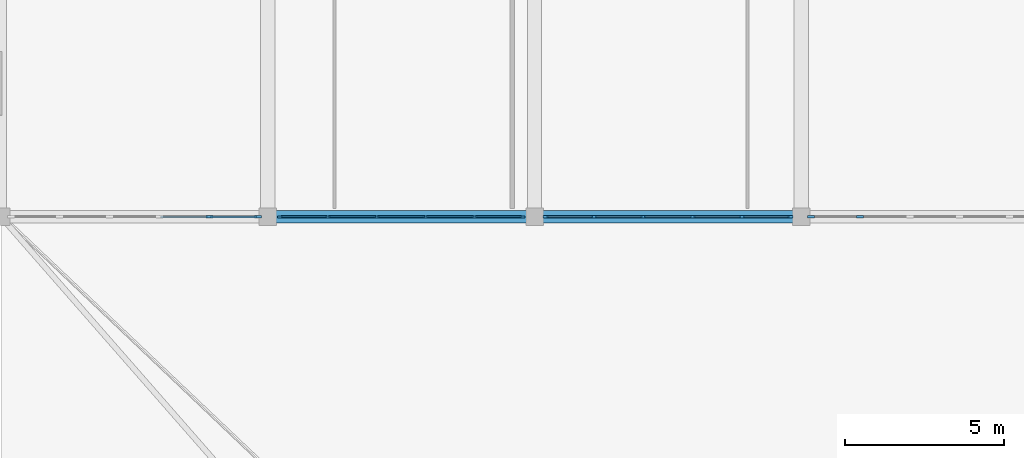
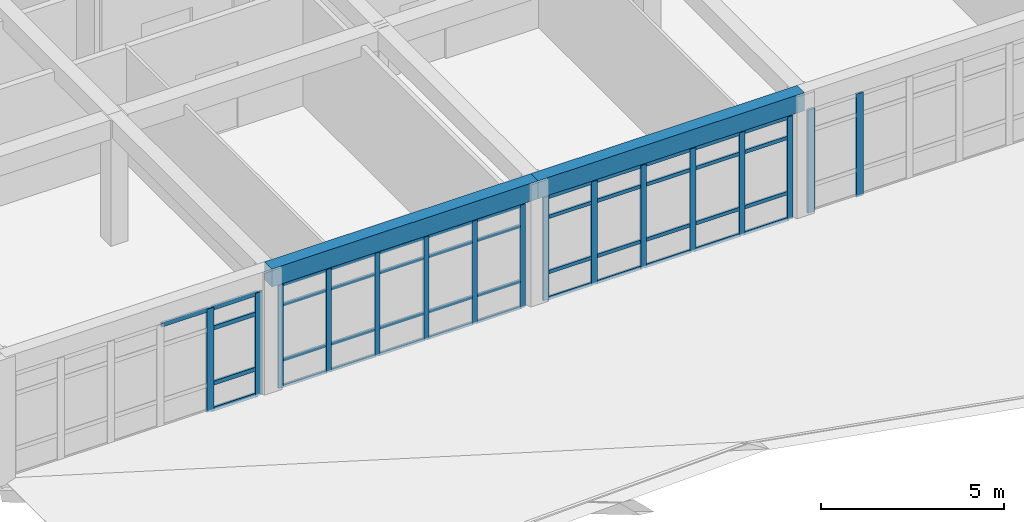
# One storey, part 15 of 77: 61 members, 2 beams, 4 elements without a shape of their own.
"""IFC4 building model written with IfcOpenShell, lengths in metres."""

from ifc_helpers import new_model, si_unit, direction, frame, origin, origin_2d, place, context, subcontext, project, spatial, rectangle, extrude, material, material_profile, profile_set, type_object, element, aggregate, save


model = new_model("IFC4")

# Units and contexts
model_context = context("Model", 3, precision=1e-05, world=origin(), true_north=direction((0.0, 1.0)))
body_context = subcontext(model_context, "Body", "Model", "MODEL_VIEW")
ifc_project = project(units=[si_unit("LENGTHUNIT", "METRE"), si_unit("AREAUNIT", "SQUARE_METRE"), si_unit("VOLUMEUNIT", "CUBIC_METRE"), si_unit("PLANEANGLEUNIT", "RADIAN"), si_unit("MASSUNIT", "GRAM", prefix="KILO")], contexts=[model_context])

# Site, building, storey
site_placement = place(None, origin())
site = spatial("IfcSite", under=ifc_project, at=site_placement, CompositionType="ELEMENT")
building_placement = place(site_placement, origin())
building = spatial("IfcBuilding", under=site, at=building_placement, Name="Varncliffe General Hospital", CompositionType="ELEMENT")
storey_placement = place(building_placement, frame((0.0, 0.0, 16.199951171875)))
storey = spatial("IfcBuildingStorey", under=building, at=storey_placement, Name="L03", CompositionType="ELEMENT", Elevation=16.199951171875)

# Curtain wall, members
ifc_material_1 = material(Name="Triple low-E argon insulated vision glazing", Category="glass")
curtain_wall_type_1 = type_object("IfcCurtainWallType", Name="Unitised Glazed Curtain Wall CW23 (7774x3440)", PredefinedType="USERDEFINED", material=ifc_material_1)
curtain_wall_1_placement = place(storey_placement, origin())
curtain_wall_1 = element("IfcCurtainWall", 1, at=curtain_wall_1_placement, inside=storey, type_object=curtain_wall_type_1, Name="L03 Glazed Curtain Wall CW23-178", ObjectType="GLAZED CURTAIN WALL", PredefinedType="USERDEFINED")
ifc_material_2 = material(Name="Dark bronze thermally broken aluminium framing", Category="aluminium")
ifc_material_profile_1 = material_profile(ifc_material_2, rectangle(XDim=0.074951171875, YDim=0.179931640625, at=origin_2d()), Name="ALU 75x180")
ifc_profile_set_1 = profile_set([ifc_material_profile_1], Name="Dark bronze thermally broken aluminium framing")
member_type_1 = type_object("IfcMemberType", Name="Curtain Wall Mullion CM44 (ALU 75x180)", PredefinedType="MULLION", material=ifc_profile_set_1)
member_1_placement = place(storey_placement, frame((83.6494140625, 74.39990234375, 0.0), z_axis=(0.0, 0.0, 1.0), x_axis=(0.0, -1.0, 0.0)))
member_1 = element("IfcMember", 2, at=member_1_placement, type_object=member_type_1, Name="CW23 mullion 1", PredefinedType="MULLION", context=body_context, shape_type="SweptSolid", body=[
    extrude(rectangle(XDim=0.074951171875, YDim=0.179931640625, at=origin_2d()), origin(), (0.0, 0.0, 1.0), 3.43994140625),
])
member_2_placement = place(storey_placement, frame((82.132080078125, 74.39990234375, 0.0), z_axis=(0.0, 0.0, 1.0), x_axis=(0.0, -1.0, 0.0)))
member_2 = element("IfcMember", 3, at=member_2_placement, type_object=member_type_1, Name="CW23 mullion 2", PredefinedType="MULLION", context=body_context, shape_type="SweptSolid", body=[
    extrude(rectangle(XDim=0.074951171875, YDim=0.179931640625, at=origin_2d()), origin(), (0.0, 0.0, 1.0), 3.43994140625),
])
member_3_placement = place(storey_placement, frame((80.577392578125, 74.39990234375, 0.0), z_axis=(0.0, 0.0, 1.0), x_axis=(0.0, -1.0, 0.0)))
member_3 = element("IfcMember", 4, at=member_3_placement, type_object=member_type_1, Name="CW23 mullion 3", PredefinedType="MULLION", context=body_context, shape_type="SweptSolid", body=[
    extrude(rectangle(XDim=0.074951171875, YDim=0.179931640625, at=origin_2d()), origin(), (0.0, 0.0, 1.0), 3.43994140625),
])
member_4_placement = place(storey_placement, frame((79.022705078125, 74.39990234375, 0.0), z_axis=(0.0, 0.0, 1.0), x_axis=(0.0, -1.0, 0.0)))
member_4 = element("IfcMember", 5, at=member_4_placement, type_object=member_type_1, Name="CW23 mullion 4", PredefinedType="MULLION", context=body_context, shape_type="SweptSolid", body=[
    extrude(rectangle(XDim=0.074951171875, YDim=0.179931640625, at=origin_2d()), origin(), (0.0, 0.0, 1.0), 3.43994140625),
])
member_5_placement = place(storey_placement, frame((77.4677734375, 74.39990234375, 0.0), z_axis=(0.0, 0.0, 1.0), x_axis=(0.0, -1.0, 0.0)))
member_5 = element("IfcMember", 6, at=member_5_placement, type_object=member_type_1, Name="CW23 mullion 5", PredefinedType="MULLION", context=body_context, shape_type="SweptSolid", body=[
    extrude(rectangle(XDim=0.074951171875, YDim=0.179931640625, at=origin_2d()), origin(), (0.0, 0.0, 1.0), 3.43994140625),
])
member_6_placement = place(storey_placement, frame((75.950439453125, 74.39990234375, 0.0), z_axis=(0.0, 0.0, 1.0), x_axis=(0.0, -1.0, 0.0)))
member_6 = element("IfcMember", 7, at=member_6_placement, type_object=member_type_1, Name="CW23 mullion 6", PredefinedType="MULLION", context=body_context, shape_type="SweptSolid", body=[
    extrude(rectangle(XDim=0.074951171875, YDim=0.179931640625, at=origin_2d()), origin(), (0.0, 0.0, 1.0), 3.43994140625),
])

curtain_wall_type_2 = type_object("IfcCurtainWallType", Name="Unitised Glazed Curtain Wall CW37 (7694x3440)", PredefinedType="USERDEFINED", material=ifc_material_1)
curtain_wall_2_placement = place(storey_placement, origin())
curtain_wall_2 = element("IfcCurtainWall", 8, at=curtain_wall_2_placement, inside=storey, type_object=curtain_wall_type_2, Name="L03 Glazed Curtain Wall CW37-179", ObjectType="GLAZED CURTAIN WALL", PredefinedType="USERDEFINED")
ifc_material_profile_2 = material_profile(ifc_material_2, rectangle(XDim=0.06494140625, YDim=0.159912109375, at=origin_2d()), Name="ALU 65x160")
ifc_profile_set_2 = profile_set([ifc_material_profile_2], Name="Dark bronze thermally broken aluminium framing")
member_type_2 = type_object("IfcMemberType", Name="Curtain Wall Mullion CM65 (ALU 65x160)", PredefinedType="MULLION", material=ifc_profile_set_2)
member_7_placement = place(storey_placement, frame((75.214599609375, 74.39990234375, 0.0), z_axis=(0.0, 0.0, 1.0), x_axis=(0.0, -1.0, 0.0)))
member_7 = element("IfcMember", 9, at=member_7_placement, type_object=member_type_2, Name="CW37 mullion 1", PredefinedType="MULLION", context=body_context, shape_type="SweptSolid", body=[
    extrude(rectangle(XDim=0.06494140625, YDim=0.159912109375, at=origin_2d()), origin(), (0.0, 0.0, 1.0), 3.43994140625),
])
member_8_placement = place(storey_placement, frame((73.708251953125, 74.39990234375, 0.0), z_axis=(0.0, 0.0, 1.0), x_axis=(0.0, -1.0, 0.0)))
member_8 = element("IfcMember", 10, at=member_8_placement, type_object=member_type_2, Name="CW37 mullion 2", PredefinedType="MULLION", context=body_context, shape_type="SweptSolid", body=[
    extrude(rectangle(XDim=0.06494140625, YDim=0.159912109375, at=origin_2d()), origin(), (0.0, 0.0, 1.0), 3.43994140625),
])
member_9_placement = place(storey_placement, frame((72.16943359375, 74.39990234375, 0.0), z_axis=(0.0, 0.0, 1.0), x_axis=(0.0, -1.0, 0.0)))
member_9 = element("IfcMember", 11, at=member_9_placement, type_object=member_type_2, Name="CW37 mullion 3", PredefinedType="MULLION", context=body_context, shape_type="SweptSolid", body=[
    extrude(rectangle(XDim=0.06494140625, YDim=0.159912109375, at=origin_2d()), origin(), (0.0, 0.0, 1.0), 3.43994140625),
])
member_10_placement = place(storey_placement, frame((70.630615234375, 74.39990234375, 0.0), z_axis=(0.0, 0.0, 1.0), x_axis=(0.0, -1.0, 0.0)))
member_10 = element("IfcMember", 12, at=member_10_placement, type_object=member_type_2, Name="CW37 mullion 4", PredefinedType="MULLION", context=body_context, shape_type="SweptSolid", body=[
    extrude(rectangle(XDim=0.06494140625, YDim=0.159912109375, at=origin_2d()), origin(), (0.0, 0.0, 1.0), 3.43994140625),
])
member_11_placement = place(storey_placement, frame((69.091796875, 74.39990234375, 0.0), z_axis=(0.0, 0.0, 1.0), x_axis=(0.0, -1.0, 0.0)))
member_11 = element("IfcMember", 13, at=member_11_placement, type_object=member_type_2, Name="CW37 mullion 5", PredefinedType="MULLION", context=body_context, shape_type="SweptSolid", body=[
    extrude(rectangle(XDim=0.06494140625, YDim=0.159912109375, at=origin_2d()), origin(), (0.0, 0.0, 1.0), 3.43994140625),
])
member_12_placement = place(storey_placement, frame((67.58544921875, 74.39990234375, 0.0), z_axis=(0.0, 0.0, 1.0), x_axis=(0.0, -1.0, 0.0)))
member_12 = element("IfcMember", 14, at=member_12_placement, type_object=member_type_2, Name="CW37 mullion 6", PredefinedType="MULLION", context=body_context, shape_type="SweptSolid", body=[
    extrude(rectangle(XDim=0.06494140625, YDim=0.159912109375, at=origin_2d()), origin(), (0.0, 0.0, 1.0), 3.43994140625),
])

curtain_wall_type_3 = type_object("IfcCurtainWallType", Name="Unitised Glazed Curtain Wall CW83 (7854x3440)", PredefinedType="USERDEFINED", material=ifc_material_1)
curtain_wall_3_placement = place(storey_placement, origin())
curtain_wall_3 = element("IfcCurtainWall", 15, at=curtain_wall_3_placement, inside=storey, type_object=curtain_wall_type_3, Name="L03 Glazed Curtain Wall CW83-177", ObjectType="GLAZED CURTAIN WALL", PredefinedType="USERDEFINED")
ifc_material_profile_3 = material_profile(ifc_material_2, rectangle(XDim=0.074951171875, YDim=0.219970703125, at=origin_2d()), Name="ALU 75x220")
ifc_profile_set_3 = profile_set([ifc_material_profile_3], Name="Dark bronze thermally broken aluminium framing")
member_type_3 = type_object("IfcMemberType", Name="Curtain Wall Mullion CM74 (ALU 75x220)", PredefinedType="MULLION", material=ifc_profile_set_3)
member_13_placement = place(storey_placement, frame((85.84375, 74.39990234375, 0.0), z_axis=(0.0, 0.0, 1.0), x_axis=(0.0, -1.0, 0.0)))
member_13 = element("IfcMember", 16, at=member_13_placement, type_object=member_type_3, Name="CW83 mullion 5", PredefinedType="MULLION", context=body_context, shape_type="SweptSolid", body=[
    extrude(rectangle(XDim=0.074951171875, YDim=0.219970703125, at=origin_2d()), origin(), (0.0, 0.0, 1.0), 3.43994140625),
])
member_14_placement = place(storey_placement, frame((84.310546875, 74.39990234375, 0.0), z_axis=(0.0, 0.0, 1.0), x_axis=(0.0, -1.0, 0.0)))
member_14 = element("IfcMember", 17, at=member_14_placement, type_object=member_type_3, Name="CW83 mullion 6", PredefinedType="MULLION", context=body_context, shape_type="SweptSolid", body=[
    extrude(rectangle(XDim=0.074951171875, YDim=0.219970703125, at=origin_2d()), origin(), (0.0, 0.0, 1.0), 3.43994140625),
])
aggregate(curtain_wall_3, [member_13, member_14])

curtain_wall_4_placement = place(storey_placement, origin())
curtain_wall_4 = element("IfcCurtainWall", 18, at=curtain_wall_4_placement, inside=storey, type_object=curtain_wall_type_3, Name="L03 Glazed Curtain Wall CW83-180", ObjectType="GLAZED CURTAIN WALL", PredefinedType="USERDEFINED")
member_15_placement = place(storey_placement, frame((66.889404296875, 74.39990234375, 0.0), z_axis=(0.0, 0.0, 1.0), x_axis=(0.0, -1.0, 0.0)))
member_15 = element("IfcMember", 19, at=member_15_placement, type_object=member_type_3, Name="CW83 mullion 1", PredefinedType="MULLION", context=body_context, shape_type="SweptSolid", body=[
    extrude(rectangle(XDim=0.074951171875, YDim=0.219970703125, at=origin_2d()), origin(), (0.0, 0.0, 1.0), 3.43994140625),
])
member_16_placement = place(storey_placement, frame((65.356201171875, 74.39990234375, 0.0), z_axis=(0.0, 0.0, 1.0), x_axis=(0.0, -1.0, 0.0)))
member_16 = element("IfcMember", 20, at=member_16_placement, type_object=member_type_3, Name="CW83 mullion 2", PredefinedType="MULLION", context=body_context, shape_type="SweptSolid", body=[
    extrude(rectangle(XDim=0.074951171875, YDim=0.219970703125, at=origin_2d()), origin(), (0.0, 0.0, 1.0), 3.43994140625),
])

# Member
ifc_material_profile_4 = material_profile(ifc_material_2, rectangle(XDim=0.06005859375, YDim=0.1201171875, at=origin_2d()), Name="ALU 60x120")
ifc_profile_set_4 = profile_set([ifc_material_profile_4], Name="Dark bronze thermally broken aluminium framing")
member_type_4 = type_object("IfcMemberType", Name="Curtain Wall Transom CT14 (ALU 60x120)", PredefinedType="USERDEFINED", material=ifc_profile_set_4)
member_17_placement = place(storey_placement, frame((83.612060546875, 74.39990234375, 0.030029296875), z_axis=(-1.0, 0.0, 0.0), x_axis=(0.0, -1.0, 0.0)))
member_17 = element("IfcMember", 21, at=member_17_placement, type_object=member_type_4, Name="CW23 transom 1.1", ObjectType="TRANSOM", PredefinedType="USERDEFINED", context=body_context, shape_type="SweptSolid", body=[
    extrude(rectangle(XDim=0.06005859375, YDim=0.1201171875, at=origin_2d()), origin(), (0.0, 0.0, 1.0), 1.4423828125),
])

member_18_placement = place(storey_placement, frame((83.612060546875, 74.39990234375, 0.900146484375), z_axis=(-1.0, 0.0, 0.0), x_axis=(0.0, -1.0, 0.0)))
member_18 = element("IfcMember", 22, at=member_18_placement, type_object=member_type_4, Name="CW23 transom 1.2", ObjectType="TRANSOM", PredefinedType="USERDEFINED", context=body_context, shape_type="SweptSolid", body=[
    extrude(rectangle(XDim=0.06005859375, YDim=0.1201171875, at=origin_2d()), origin(), (0.0, 0.0, 1.0), 1.4423828125),
])

member_19_placement = place(storey_placement, frame((83.612060546875, 74.39990234375, 2.739990234375), z_axis=(-1.0, 0.0, 0.0), x_axis=(0.0, -1.0, 0.0)))
member_19 = element("IfcMember", 23, at=member_19_placement, type_object=member_type_4, Name="CW23 transom 1.3", ObjectType="TRANSOM", PredefinedType="USERDEFINED", context=body_context, shape_type="SweptSolid", body=[
    extrude(rectangle(XDim=0.06005859375, YDim=0.1201171875, at=origin_2d()), origin(), (0.0, 0.0, 1.0), 1.4423828125),
])

member_20_placement = place(storey_placement, frame((83.612060546875, 74.39990234375, 3.41015625), z_axis=(-1.0, 0.0, 0.0), x_axis=(0.0, -1.0, 0.0)))
member_20 = element("IfcMember", 24, at=member_20_placement, type_object=member_type_4, Name="CW23 transom 1.4", ObjectType="TRANSOM", PredefinedType="USERDEFINED", context=body_context, shape_type="SweptSolid", body=[
    extrude(rectangle(XDim=0.06005859375, YDim=0.1201171875, at=origin_2d()), origin(), (0.0, 0.0, 1.0), 1.4423828125),
])

member_21_placement = place(storey_placement, frame((82.0947265625, 74.39990234375, 0.030029296875), z_axis=(-1.0, 0.0, 0.0), x_axis=(0.0, -1.0, 0.0)))
member_21 = element("IfcMember", 25, at=member_21_placement, type_object=member_type_4, Name="CW23 transom 2.1", ObjectType="TRANSOM", PredefinedType="USERDEFINED", context=body_context, shape_type="SweptSolid", body=[
    extrude(rectangle(XDim=0.06005859375, YDim=0.1201171875, at=origin_2d()), origin(), (0.0, 0.0, 1.0), 1.479736328125),
])

member_22_placement = place(storey_placement, frame((82.0947265625, 74.39990234375, 0.900146484375), z_axis=(-1.0, 0.0, 0.0), x_axis=(0.0, -1.0, 0.0)))
member_22 = element("IfcMember", 26, at=member_22_placement, type_object=member_type_4, Name="CW23 transom 2.2", ObjectType="TRANSOM", PredefinedType="USERDEFINED", context=body_context, shape_type="SweptSolid", body=[
    extrude(rectangle(XDim=0.06005859375, YDim=0.1201171875, at=origin_2d()), origin(), (0.0, 0.0, 1.0), 1.479736328125),
])

member_23_placement = place(storey_placement, frame((82.0947265625, 74.39990234375, 2.739990234375), z_axis=(-1.0, 0.0, 0.0), x_axis=(0.0, -1.0, 0.0)))
member_23 = element("IfcMember", 27, at=member_23_placement, type_object=member_type_4, Name="CW23 transom 2.3", ObjectType="TRANSOM", PredefinedType="USERDEFINED", context=body_context, shape_type="SweptSolid", body=[
    extrude(rectangle(XDim=0.06005859375, YDim=0.1201171875, at=origin_2d()), origin(), (0.0, 0.0, 1.0), 1.479736328125),
])

member_24_placement = place(storey_placement, frame((82.0947265625, 74.39990234375, 3.41015625), z_axis=(-1.0, 0.0, 0.0), x_axis=(0.0, -1.0, 0.0)))
member_24 = element("IfcMember", 28, at=member_24_placement, type_object=member_type_4, Name="CW23 transom 2.4", ObjectType="TRANSOM", PredefinedType="USERDEFINED", context=body_context, shape_type="SweptSolid", body=[
    extrude(rectangle(XDim=0.06005859375, YDim=0.1201171875, at=origin_2d()), origin(), (0.0, 0.0, 1.0), 1.479736328125),
])

member_25_placement = place(storey_placement, frame((80.539794921875, 74.39990234375, 0.030029296875), z_axis=(-1.0, 0.0, 0.0), x_axis=(0.0, -1.0, 0.0)))
member_25 = element("IfcMember", 29, at=member_25_placement, type_object=member_type_4, Name="CW23 transom 3.1", ObjectType="TRANSOM", PredefinedType="USERDEFINED", context=body_context, shape_type="SweptSolid", body=[
    extrude(rectangle(XDim=0.06005859375, YDim=0.1201171875, at=origin_2d()), origin(), (0.0, 0.0, 1.0), 1.479736328125),
])

member_26_placement = place(storey_placement, frame((80.539794921875, 74.39990234375, 0.900146484375), z_axis=(-1.0, 0.0, 0.0), x_axis=(0.0, -1.0, 0.0)))
member_26 = element("IfcMember", 30, at=member_26_placement, type_object=member_type_4, Name="CW23 transom 3.2", ObjectType="TRANSOM", PredefinedType="USERDEFINED", context=body_context, shape_type="SweptSolid", body=[
    extrude(rectangle(XDim=0.06005859375, YDim=0.1201171875, at=origin_2d()), origin(), (0.0, 0.0, 1.0), 1.479736328125),
])

member_27_placement = place(storey_placement, frame((80.539794921875, 74.39990234375, 2.739990234375), z_axis=(-1.0, 0.0, 0.0), x_axis=(0.0, -1.0, 0.0)))
member_27 = element("IfcMember", 31, at=member_27_placement, type_object=member_type_4, Name="CW23 transom 3.3", ObjectType="TRANSOM", PredefinedType="USERDEFINED", context=body_context, shape_type="SweptSolid", body=[
    extrude(rectangle(XDim=0.06005859375, YDim=0.1201171875, at=origin_2d()), origin(), (0.0, 0.0, 1.0), 1.479736328125),
])

member_28_placement = place(storey_placement, frame((80.539794921875, 74.39990234375, 3.41015625), z_axis=(-1.0, 0.0, 0.0), x_axis=(0.0, -1.0, 0.0)))
member_28 = element("IfcMember", 32, at=member_28_placement, type_object=member_type_4, Name="CW23 transom 3.4", ObjectType="TRANSOM", PredefinedType="USERDEFINED", context=body_context, shape_type="SweptSolid", body=[
    extrude(rectangle(XDim=0.06005859375, YDim=0.1201171875, at=origin_2d()), origin(), (0.0, 0.0, 1.0), 1.479736328125),
])

member_29_placement = place(storey_placement, frame((78.985107421875, 74.39990234375, 0.030029296875), z_axis=(-1.0, 0.0, 0.0), x_axis=(0.0, -1.0, 0.0)))
member_29 = element("IfcMember", 33, at=member_29_placement, type_object=member_type_4, Name="CW23 transom 4.1", ObjectType="TRANSOM", PredefinedType="USERDEFINED", context=body_context, shape_type="SweptSolid", body=[
    extrude(rectangle(XDim=0.06005859375, YDim=0.1201171875, at=origin_2d()), origin(), (0.0, 0.0, 1.0), 1.479736328125),
])

member_30_placement = place(storey_placement, frame((78.985107421875, 74.39990234375, 0.900146484375), z_axis=(-1.0, 0.0, 0.0), x_axis=(0.0, -1.0, 0.0)))
member_30 = element("IfcMember", 34, at=member_30_placement, type_object=member_type_4, Name="CW23 transom 4.2", ObjectType="TRANSOM", PredefinedType="USERDEFINED", context=body_context, shape_type="SweptSolid", body=[
    extrude(rectangle(XDim=0.06005859375, YDim=0.1201171875, at=origin_2d()), origin(), (0.0, 0.0, 1.0), 1.479736328125),
])

member_31_placement = place(storey_placement, frame((78.985107421875, 74.39990234375, 2.739990234375), z_axis=(-1.0, 0.0, 0.0), x_axis=(0.0, -1.0, 0.0)))
member_31 = element("IfcMember", 35, at=member_31_placement, type_object=member_type_4, Name="CW23 transom 4.3", ObjectType="TRANSOM", PredefinedType="USERDEFINED", context=body_context, shape_type="SweptSolid", body=[
    extrude(rectangle(XDim=0.06005859375, YDim=0.1201171875, at=origin_2d()), origin(), (0.0, 0.0, 1.0), 1.479736328125),
])

member_32_placement = place(storey_placement, frame((78.985107421875, 74.39990234375, 3.41015625), z_axis=(-1.0, 0.0, 0.0), x_axis=(0.0, -1.0, 0.0)))
member_32 = element("IfcMember", 36, at=member_32_placement, type_object=member_type_4, Name="CW23 transom 4.4", ObjectType="TRANSOM", PredefinedType="USERDEFINED", context=body_context, shape_type="SweptSolid", body=[
    extrude(rectangle(XDim=0.06005859375, YDim=0.1201171875, at=origin_2d()), origin(), (0.0, 0.0, 1.0), 1.479736328125),
])

member_33_placement = place(storey_placement, frame((77.430419921875, 74.39990234375, 0.030029296875), z_axis=(-1.0, 0.0, 0.0), x_axis=(0.0, -1.0, 0.0)))
member_33 = element("IfcMember", 37, at=member_33_placement, type_object=member_type_4, Name="CW23 transom 5.1", ObjectType="TRANSOM", PredefinedType="USERDEFINED", context=body_context, shape_type="SweptSolid", body=[
    extrude(rectangle(XDim=0.06005859375, YDim=0.1201171875, at=origin_2d()), origin(), (0.0, 0.0, 1.0), 1.4423828125),
])

member_34_placement = place(storey_placement, frame((77.430419921875, 74.39990234375, 0.900146484375), z_axis=(-1.0, 0.0, 0.0), x_axis=(0.0, -1.0, 0.0)))
member_34 = element("IfcMember", 38, at=member_34_placement, type_object=member_type_4, Name="CW23 transom 5.2", ObjectType="TRANSOM", PredefinedType="USERDEFINED", context=body_context, shape_type="SweptSolid", body=[
    extrude(rectangle(XDim=0.06005859375, YDim=0.1201171875, at=origin_2d()), origin(), (0.0, 0.0, 1.0), 1.4423828125),
])

member_35_placement = place(storey_placement, frame((77.430419921875, 74.39990234375, 2.739990234375), z_axis=(-1.0, 0.0, 0.0), x_axis=(0.0, -1.0, 0.0)))
member_35 = element("IfcMember", 39, at=member_35_placement, type_object=member_type_4, Name="CW23 transom 5.3", ObjectType="TRANSOM", PredefinedType="USERDEFINED", context=body_context, shape_type="SweptSolid", body=[
    extrude(rectangle(XDim=0.06005859375, YDim=0.1201171875, at=origin_2d()), origin(), (0.0, 0.0, 1.0), 1.4423828125),
])

member_36_placement = place(storey_placement, frame((77.430419921875, 74.39990234375, 3.41015625), z_axis=(-1.0, 0.0, 0.0), x_axis=(0.0, -1.0, 0.0)))
member_36 = element("IfcMember", 40, at=member_36_placement, type_object=member_type_4, Name="CW23 transom 5.4", ObjectType="TRANSOM", PredefinedType="USERDEFINED", context=body_context, shape_type="SweptSolid", body=[
    extrude(rectangle(XDim=0.06005859375, YDim=0.1201171875, at=origin_2d()), origin(), (0.0, 0.0, 1.0), 1.4423828125),
])

aggregate(curtain_wall_1, [member_1, member_2, member_3, member_4, member_5, member_6, member_17, member_18, member_19, member_20, member_21, member_22, member_23, member_24, member_25, member_26, member_27, member_28, member_29, member_30, member_31, member_32, member_33, member_34, member_35, member_36])

ifc_material_profile_5 = material_profile(ifc_material_2, rectangle(XDim=0.06005859375, YDim=0.10009765625, at=origin_2d()), Name="ALU 60x100")
ifc_profile_set_5 = profile_set([ifc_material_profile_5], Name="Dark bronze thermally broken aluminium framing")
member_type_5 = type_object("IfcMemberType", Name="Curtain Wall Transom CT18 (ALU 60x100)", PredefinedType="USERDEFINED", material=ifc_profile_set_5)
member_37_placement = place(storey_placement, frame((75.181884765625, 74.39990234375, 0.030029296875), z_axis=(-1.0, 0.0, 0.0), x_axis=(0.0, -1.0, 0.0)))
member_37 = element("IfcMember", 41, at=member_37_placement, type_object=member_type_5, Name="CW37 transom 1.1", ObjectType="TRANSOM", PredefinedType="USERDEFINED", context=body_context, shape_type="SweptSolid", body=[
    extrude(rectangle(XDim=0.06005859375, YDim=0.10009765625, at=origin_2d()), origin(), (0.0, 0.0, 1.0), 1.441162109375),
])

member_38_placement = place(storey_placement, frame((75.181884765625, 74.39990234375, 0.900146484375), z_axis=(-1.0, 0.0, 0.0), x_axis=(0.0, -1.0, 0.0)))
member_38 = element("IfcMember", 42, at=member_38_placement, type_object=member_type_5, Name="CW37 transom 1.2", ObjectType="TRANSOM", PredefinedType="USERDEFINED", context=body_context, shape_type="SweptSolid", body=[
    extrude(rectangle(XDim=0.06005859375, YDim=0.10009765625, at=origin_2d()), origin(), (0.0, 0.0, 1.0), 1.441162109375),
])

member_39_placement = place(storey_placement, frame((75.181884765625, 74.39990234375, 2.739990234375), z_axis=(-1.0, 0.0, 0.0), x_axis=(0.0, -1.0, 0.0)))
member_39 = element("IfcMember", 43, at=member_39_placement, type_object=member_type_5, Name="CW37 transom 1.3", ObjectType="TRANSOM", PredefinedType="USERDEFINED", context=body_context, shape_type="SweptSolid", body=[
    extrude(rectangle(XDim=0.06005859375, YDim=0.10009765625, at=origin_2d()), origin(), (0.0, 0.0, 1.0), 1.441162109375),
])

member_40_placement = place(storey_placement, frame((75.181884765625, 74.39990234375, 3.41015625), z_axis=(-1.0, 0.0, 0.0), x_axis=(0.0, -1.0, 0.0)))
member_40 = element("IfcMember", 44, at=member_40_placement, type_object=member_type_5, Name="CW37 transom 1.4", ObjectType="TRANSOM", PredefinedType="USERDEFINED", context=body_context, shape_type="SweptSolid", body=[
    extrude(rectangle(XDim=0.06005859375, YDim=0.10009765625, at=origin_2d()), origin(), (0.0, 0.0, 1.0), 1.441162109375),
])

member_41_placement = place(storey_placement, frame((73.67578125, 74.39990234375, 0.030029296875), z_axis=(-1.0, 0.0, 0.0), x_axis=(0.0, -1.0, 0.0)))
member_41 = element("IfcMember", 45, at=member_41_placement, type_object=member_type_5, Name="CW37 transom 2.1", ObjectType="TRANSOM", PredefinedType="USERDEFINED", context=body_context, shape_type="SweptSolid", body=[
    extrude(rectangle(XDim=0.06005859375, YDim=0.10009765625, at=origin_2d()), origin(), (0.0, 0.0, 1.0), 1.473876953125),
])

member_42_placement = place(storey_placement, frame((73.67578125, 74.39990234375, 0.900146484375), z_axis=(-1.0, 0.0, 0.0), x_axis=(0.0, -1.0, 0.0)))
member_42 = element("IfcMember", 46, at=member_42_placement, type_object=member_type_5, Name="CW37 transom 2.2", ObjectType="TRANSOM", PredefinedType="USERDEFINED", context=body_context, shape_type="SweptSolid", body=[
    extrude(rectangle(XDim=0.06005859375, YDim=0.10009765625, at=origin_2d()), origin(), (0.0, 0.0, 1.0), 1.473876953125),
])

member_43_placement = place(storey_placement, frame((73.67578125, 74.39990234375, 2.739990234375), z_axis=(-1.0, 0.0, 0.0), x_axis=(0.0, -1.0, 0.0)))
member_43 = element("IfcMember", 47, at=member_43_placement, type_object=member_type_5, Name="CW37 transom 2.3", ObjectType="TRANSOM", PredefinedType="USERDEFINED", context=body_context, shape_type="SweptSolid", body=[
    extrude(rectangle(XDim=0.06005859375, YDim=0.10009765625, at=origin_2d()), origin(), (0.0, 0.0, 1.0), 1.473876953125),
])

member_44_placement = place(storey_placement, frame((73.67578125, 74.39990234375, 3.41015625), z_axis=(-1.0, 0.0, 0.0), x_axis=(0.0, -1.0, 0.0)))
member_44 = element("IfcMember", 48, at=member_44_placement, type_object=member_type_5, Name="CW37 transom 2.4", ObjectType="TRANSOM", PredefinedType="USERDEFINED", context=body_context, shape_type="SweptSolid", body=[
    extrude(rectangle(XDim=0.06005859375, YDim=0.10009765625, at=origin_2d()), origin(), (0.0, 0.0, 1.0), 1.473876953125),
])

member_45_placement = place(storey_placement, frame((72.136962890625, 74.39990234375, 0.030029296875), z_axis=(-1.0, 0.0, 0.0), x_axis=(0.0, -1.0, 0.0)))
member_45 = element("IfcMember", 49, at=member_45_placement, type_object=member_type_5, Name="CW37 transom 3.1", ObjectType="TRANSOM", PredefinedType="USERDEFINED", context=body_context, shape_type="SweptSolid", body=[
    extrude(rectangle(XDim=0.06005859375, YDim=0.10009765625, at=origin_2d()), origin(), (0.0, 0.0, 1.0), 1.473876953125),
])

member_46_placement = place(storey_placement, frame((72.136962890625, 74.39990234375, 0.900146484375), z_axis=(-1.0, 0.0, 0.0), x_axis=(0.0, -1.0, 0.0)))
member_46 = element("IfcMember", 50, at=member_46_placement, type_object=member_type_5, Name="CW37 transom 3.2", ObjectType="TRANSOM", PredefinedType="USERDEFINED", context=body_context, shape_type="SweptSolid", body=[
    extrude(rectangle(XDim=0.06005859375, YDim=0.10009765625, at=origin_2d()), origin(), (0.0, 0.0, 1.0), 1.473876953125),
])

member_47_placement = place(storey_placement, frame((72.136962890625, 74.39990234375, 2.739990234375), z_axis=(-1.0, 0.0, 0.0), x_axis=(0.0, -1.0, 0.0)))
member_47 = element("IfcMember", 51, at=member_47_placement, type_object=member_type_5, Name="CW37 transom 3.3", ObjectType="TRANSOM", PredefinedType="USERDEFINED", context=body_context, shape_type="SweptSolid", body=[
    extrude(rectangle(XDim=0.06005859375, YDim=0.10009765625, at=origin_2d()), origin(), (0.0, 0.0, 1.0), 1.473876953125),
])

member_48_placement = place(storey_placement, frame((72.136962890625, 74.39990234375, 3.41015625), z_axis=(-1.0, 0.0, 0.0), x_axis=(0.0, -1.0, 0.0)))
member_48 = element("IfcMember", 52, at=member_48_placement, type_object=member_type_5, Name="CW37 transom 3.4", ObjectType="TRANSOM", PredefinedType="USERDEFINED", context=body_context, shape_type="SweptSolid", body=[
    extrude(rectangle(XDim=0.06005859375, YDim=0.10009765625, at=origin_2d()), origin(), (0.0, 0.0, 1.0), 1.473876953125),
])

member_49_placement = place(storey_placement, frame((70.59814453125, 74.39990234375, 0.030029296875), z_axis=(-1.0, 0.0, 0.0), x_axis=(0.0, -1.0, 0.0)))
member_49 = element("IfcMember", 53, at=member_49_placement, type_object=member_type_5, Name="CW37 transom 4.1", ObjectType="TRANSOM", PredefinedType="USERDEFINED", context=body_context, shape_type="SweptSolid", body=[
    extrude(rectangle(XDim=0.06005859375, YDim=0.10009765625, at=origin_2d()), origin(), (0.0, 0.0, 1.0), 1.473876953125),
])

member_50_placement = place(storey_placement, frame((70.59814453125, 74.39990234375, 0.900146484375), z_axis=(-1.0, 0.0, 0.0), x_axis=(0.0, -1.0, 0.0)))
member_50 = element("IfcMember", 54, at=member_50_placement, type_object=member_type_5, Name="CW37 transom 4.2", ObjectType="TRANSOM", PredefinedType="USERDEFINED", context=body_context, shape_type="SweptSolid", body=[
    extrude(rectangle(XDim=0.06005859375, YDim=0.10009765625, at=origin_2d()), origin(), (0.0, 0.0, 1.0), 1.473876953125),
])

member_51_placement = place(storey_placement, frame((70.59814453125, 74.39990234375, 2.739990234375), z_axis=(-1.0, 0.0, 0.0), x_axis=(0.0, -1.0, 0.0)))
member_51 = element("IfcMember", 55, at=member_51_placement, type_object=member_type_5, Name="CW37 transom 4.3", ObjectType="TRANSOM", PredefinedType="USERDEFINED", context=body_context, shape_type="SweptSolid", body=[
    extrude(rectangle(XDim=0.06005859375, YDim=0.10009765625, at=origin_2d()), origin(), (0.0, 0.0, 1.0), 1.473876953125),
])

member_52_placement = place(storey_placement, frame((70.59814453125, 74.39990234375, 3.41015625), z_axis=(-1.0, 0.0, 0.0), x_axis=(0.0, -1.0, 0.0)))
member_52 = element("IfcMember", 56, at=member_52_placement, type_object=member_type_5, Name="CW37 transom 4.4", ObjectType="TRANSOM", PredefinedType="USERDEFINED", context=body_context, shape_type="SweptSolid", body=[
    extrude(rectangle(XDim=0.06005859375, YDim=0.10009765625, at=origin_2d()), origin(), (0.0, 0.0, 1.0), 1.473876953125),
])

member_53_placement = place(storey_placement, frame((69.059326171875, 74.39990234375, 0.030029296875), z_axis=(-1.0, 0.0, 0.0), x_axis=(0.0, -1.0, 0.0)))
member_53 = element("IfcMember", 57, at=member_53_placement, type_object=member_type_5, Name="CW37 transom 5.1", ObjectType="TRANSOM", PredefinedType="USERDEFINED", context=body_context, shape_type="SweptSolid", body=[
    extrude(rectangle(XDim=0.06005859375, YDim=0.10009765625, at=origin_2d()), origin(), (0.0, 0.0, 1.0), 1.44140625),
])

member_54_placement = place(storey_placement, frame((69.059326171875, 74.39990234375, 0.900146484375), z_axis=(-1.0, 0.0, 0.0), x_axis=(0.0, -1.0, 0.0)))
member_54 = element("IfcMember", 58, at=member_54_placement, type_object=member_type_5, Name="CW37 transom 5.2", ObjectType="TRANSOM", PredefinedType="USERDEFINED", context=body_context, shape_type="SweptSolid", body=[
    extrude(rectangle(XDim=0.06005859375, YDim=0.10009765625, at=origin_2d()), origin(), (0.0, 0.0, 1.0), 1.44140625),
])

member_55_placement = place(storey_placement, frame((69.059326171875, 74.39990234375, 2.739990234375), z_axis=(-1.0, 0.0, 0.0), x_axis=(0.0, -1.0, 0.0)))
member_55 = element("IfcMember", 59, at=member_55_placement, type_object=member_type_5, Name="CW37 transom 5.3", ObjectType="TRANSOM", PredefinedType="USERDEFINED", context=body_context, shape_type="SweptSolid", body=[
    extrude(rectangle(XDim=0.06005859375, YDim=0.10009765625, at=origin_2d()), origin(), (0.0, 0.0, 1.0), 1.44140625),
])

member_56_placement = place(storey_placement, frame((69.059326171875, 74.39990234375, 3.41015625), z_axis=(-1.0, 0.0, 0.0), x_axis=(0.0, -1.0, 0.0)))
member_56 = element("IfcMember", 60, at=member_56_placement, type_object=member_type_5, Name="CW37 transom 5.4", ObjectType="TRANSOM", PredefinedType="USERDEFINED", context=body_context, shape_type="SweptSolid", body=[
    extrude(rectangle(XDim=0.06005859375, YDim=0.10009765625, at=origin_2d()), origin(), (0.0, 0.0, 1.0), 1.44140625),
])

aggregate(curtain_wall_2, [member_7, member_8, member_9, member_10, member_11, member_12, member_37, member_38, member_39, member_40, member_41, member_42, member_43, member_44, member_45, member_46, member_47, member_48, member_49, member_50, member_51, member_52, member_53, member_54, member_55, member_56])

ifc_material_profile_6 = material_profile(ifc_material_2, rectangle(XDim=0.06494140625, YDim=0.139892578125, at=origin_2d()), Name="ALU 65x140")
ifc_profile_set_6 = profile_set([ifc_material_profile_6], Name="Dark bronze thermally broken aluminium framing")
member_type_6 = type_object("IfcMemberType", Name="Curtain Wall Transom CT69 (ALU 65x140)", PredefinedType="USERDEFINED", material=ifc_profile_set_6)
member_57_placement = place(storey_placement, frame((66.85205078125, 74.39990234375, 0.032470703125), z_axis=(-1.0, 0.0, 0.0), x_axis=(0.0, -1.0, 0.0)))
member_57 = element("IfcMember", 61, at=member_57_placement, type_object=member_type_6, Name="CW83 transom 1.1", ObjectType="TRANSOM", PredefinedType="USERDEFINED", context=body_context, shape_type="SweptSolid", body=[
    extrude(rectangle(XDim=0.06494140625, YDim=0.139892578125, at=origin_2d()), origin(), (0.0, 0.0, 1.0), 1.458251953125),
])

member_58_placement = place(storey_placement, frame((66.85205078125, 74.39990234375, 0.900146484375), z_axis=(-1.0, 0.0, 0.0), x_axis=(0.0, -1.0, 0.0)))
member_58 = element("IfcMember", 62, at=member_58_placement, type_object=member_type_6, Name="CW83 transom 1.2", ObjectType="TRANSOM", PredefinedType="USERDEFINED", context=body_context, shape_type="SweptSolid", body=[
    extrude(rectangle(XDim=0.06494140625, YDim=0.139892578125, at=origin_2d()), origin(), (0.0, 0.0, 1.0), 1.458251953125),
])

member_59_placement = place(storey_placement, frame((66.85205078125, 74.39990234375, 2.739990234375), z_axis=(-1.0, 0.0, 0.0), x_axis=(0.0, -1.0, 0.0)))
member_59 = element("IfcMember", 63, at=member_59_placement, type_object=member_type_6, Name="CW83 transom 1.3", ObjectType="TRANSOM", PredefinedType="USERDEFINED", context=body_context, shape_type="SweptSolid", body=[
    extrude(rectangle(XDim=0.06494140625, YDim=0.139892578125, at=origin_2d()), origin(), (0.0, 0.0, 1.0), 1.458251953125),
])

member_60_placement = place(storey_placement, frame((66.85205078125, 74.39990234375, 3.407470703125), z_axis=(-1.0, 0.0, 0.0), x_axis=(0.0, -1.0, 0.0)))
member_60 = element("IfcMember", 64, at=member_60_placement, type_object=member_type_6, Name="CW83 transom 1.4", ObjectType="TRANSOM", PredefinedType="USERDEFINED", context=body_context, shape_type="SweptSolid", body=[
    extrude(rectangle(XDim=0.06494140625, YDim=0.139892578125, at=origin_2d()), origin(), (0.0, 0.0, 1.0), 1.458251953125),
])

member_61_placement = place(storey_placement, frame((65.318603515625, 74.39990234375, 3.407470703125), z_axis=(-1.0, 0.0, 0.0), x_axis=(0.0, -1.0, 0.0)))
member_61 = element("IfcMember", 65, at=member_61_placement, type_object=member_type_6, Name="CW83 transom 2.4", ObjectType="TRANSOM", PredefinedType="USERDEFINED", context=body_context, shape_type="SweptSolid", body=[
    extrude(rectangle(XDim=0.06494140625, YDim=0.139892578125, at=origin_2d()), origin(), (0.0, 0.0, 1.0), 1.49560546875),
])

aggregate(curtain_wall_4, [member_15, member_16, member_57, member_58, member_59, member_60, member_61])

# Beams
ifc_material_3 = material(Name="Concrete C35/45 (CSA A23.1 35 MPa)", Category="concrete")
ifc_material_profile_7 = material_profile(ifc_material_3, rectangle(XDim=0.39990234375, YDim=0.60009765625, at=origin_2d()), Name="RC 400x600")
ifc_profile_set_7 = profile_set([ifc_material_profile_7], Name="Concrete C35/45 (CSA A23.1 35 MPa)")
beam_type = type_object("IfcBeamType", Name="Spandrel SP58 (Ext RC 400x600B)", PredefinedType="SPANDREL", material=ifc_profile_set_7)
beam_1_placement = place(storey_placement, frame((67.199951171875, 74.39990234375, 3.900146484375), z_axis=(1.0, 0.0, 0.0), x_axis=(0.0, 1.0, 0.0)))
element("IfcBeam", 66, at=beam_1_placement, inside=storey, type_object=beam_type, Name="L03 Spandrel Beam SP58-56", PredefinedType="SPANDREL", context=body_context, shape_type="SweptSolid", body=[
    extrude(rectangle(XDim=0.39990234375, YDim=0.60009765625, at=origin_2d()), origin(), (0.0, 0.0, 1.0), 8.400146484375),
])
beam_2_placement = place(storey_placement, frame((75.60009765625, 74.39990234375, 3.900146484375), z_axis=(1.0, 0.0, 0.0), x_axis=(0.0, 1.0, 0.0)))
element("IfcBeam", 67, at=beam_2_placement, inside=storey, type_object=beam_type, Name="L03 Spandrel Beam SP58-57", PredefinedType="SPANDREL", context=body_context, shape_type="SweptSolid", body=[
    extrude(rectangle(XDim=0.39990234375, YDim=0.60009765625, at=origin_2d()), origin(), (0.0, 0.0, 1.0), 8.39990234375),
])

save(model, "model.ifc")
